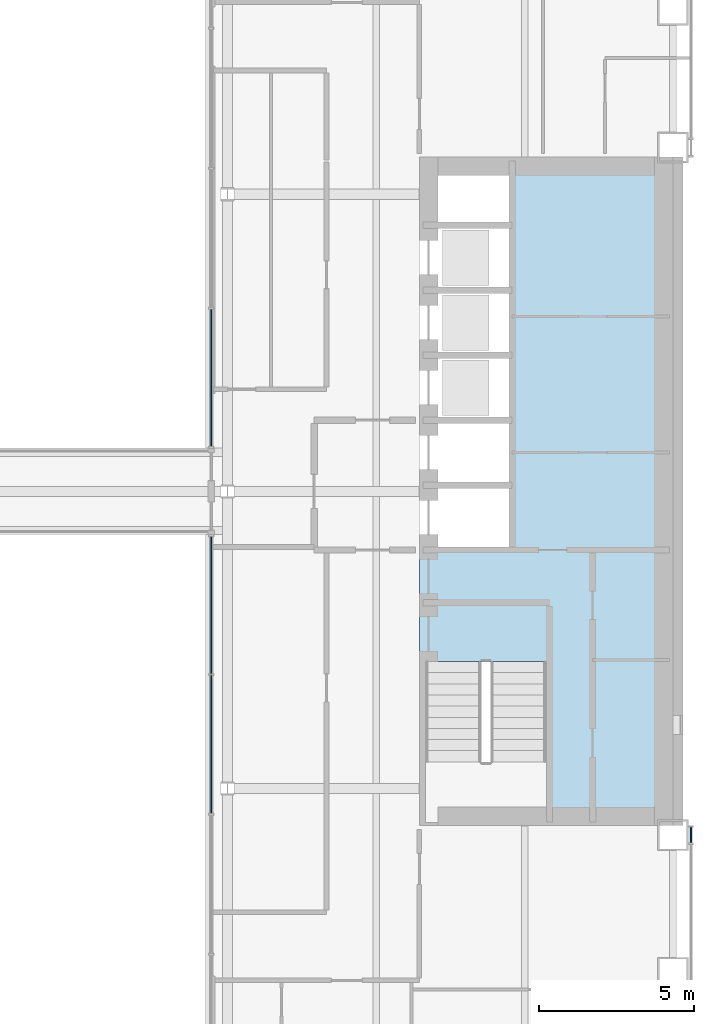
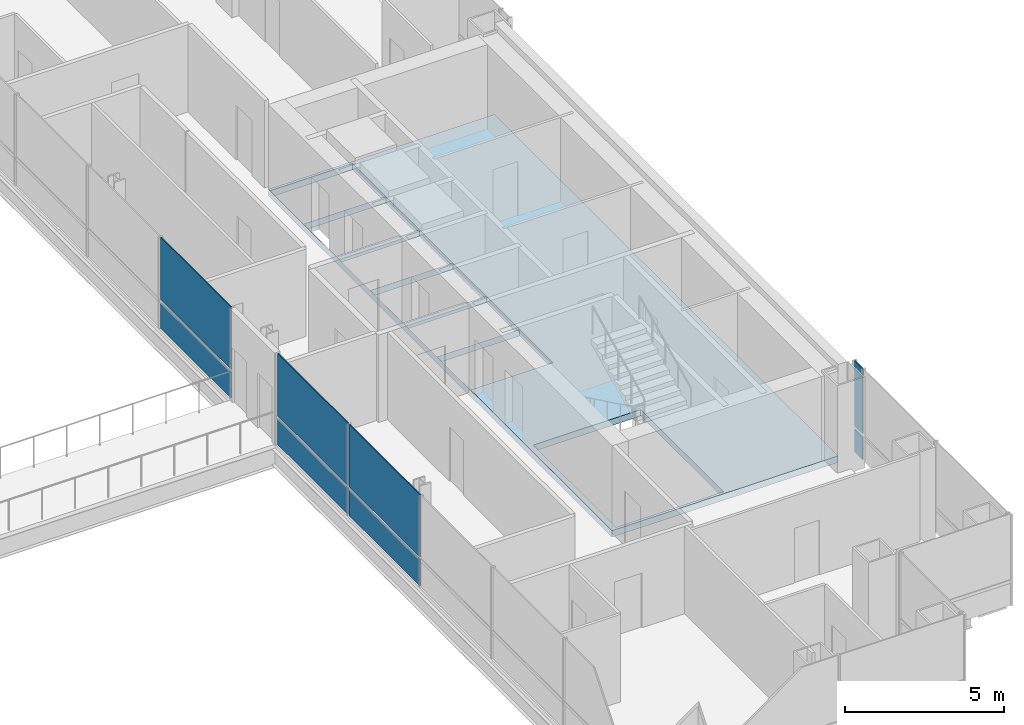
# One storey, part 11 of 19: 8 plates, 1 slab, 3 elements without a shape of their own.
"""IFC4 building model written with IfcOpenShell, lengths in metres."""

from ifc_helpers import new_model, si_unit, direction, frame, origin, origin_2d, place, context, subcontext, project, spatial, polyline, rectangle, outline, extrude, material, layer, layer_set, type_object, element, aggregate, save


model = new_model("IFC4")

# Units and contexts
model_context = context("Model", 3, precision=1e-05, world=origin(), true_north=direction((0.0, 1.0)))
body_context = subcontext(model_context, "Body", "Model", "MODEL_VIEW")
ifc_project = project(units=[si_unit("LENGTHUNIT", "METRE"), si_unit("AREAUNIT", "SQUARE_METRE"), si_unit("VOLUMEUNIT", "CUBIC_METRE"), si_unit("PLANEANGLEUNIT", "RADIAN"), si_unit("MASSUNIT", "GRAM", prefix="KILO")], contexts=[model_context])

# Site, building, storey
site_placement = place(None, origin())
site = spatial("IfcSite", under=ifc_project, at=site_placement, CompositionType="ELEMENT")
building_placement = place(site_placement, origin())
building = spatial("IfcBuilding", under=site, at=building_placement, Name="Cobrizo Arcos Hotel Tower", CompositionType="ELEMENT")
storey_placement = place(building_placement, frame((0.0, 0.0, 63.5)))
storey = spatial("IfcBuildingStorey", under=building, at=storey_placement, Name="L14", CompositionType="ELEMENT", Elevation=63.5)

# Curtain wall, plates
ifc_material_1 = material(Name="Aluminium 6063-T6 anodised bronze", Category="aluminium")
curtain_wall_type_1 = type_object("IfcCurtainWallType", Name="CW-A guest facade", PredefinedType="NOTDEFINED", material=ifc_material_1)
curtain_wall_1_placement = place(storey_placement, origin())
curtain_wall_1 = element("IfcCurtainWall", 1, at=curtain_wall_1_placement, inside=storey, type_object=curtain_wall_type_1, Name="CW-A L14 E face", PredefinedType="NOTDEFINED")
ifc_material_2 = material(Name="Glass clear laminated low-e", Category="glass")
ifc_layer_1 = layer(ifc_material_2, 0.0400390625)
ifc_layer_set_1 = layer_set([ifc_layer_1], Name="CW-A glass panel")
plate_type_1 = type_object("IfcPlateType", Name="CW-A glass panel", PredefinedType="CURTAIN_PANEL", material=ifc_layer_set_1)
plate_1_placement = place(storey_placement, frame((24.574951171875, -11.109375, 0.990234375), z_axis=(0.0, 0.0, 1.0), x_axis=(0.0, 1.0, 0.0)))
plate_1 = element("IfcPlate", 2, at=plate_1_placement, type_object=plate_type_1, Name="CW-A glass panel 631", PredefinedType="CURTAIN_PANEL", context=body_context, shape_type="SweptSolid", body=[
    extrude(rectangle(XDim=0.498779296875, YDim=0.0400390625, at=origin_2d()), origin(), (0.0, 0.0, 1.0), 2.510009765625),
])
ifc_material_3 = material(Name="Aluminium composite panel pale metal", Category="aluminium")
ifc_layer_2 = layer(ifc_material_3, 0.0400390625)
ifc_layer_set_2 = layer_set([ifc_layer_2], Name="CW-A spandrel panel")
plate_type_2 = type_object("IfcPlateType", Name="CW-A spandrel panel", PredefinedType="CURTAIN_PANEL", material=ifc_layer_set_2)
plate_2_placement = place(storey_placement, frame((24.574951171875, -11.109375, 0.0), z_axis=(0.0, 0.0, 1.0), x_axis=(0.0, 1.0, 0.0)))
plate_2 = element("IfcPlate", 3, at=plate_2_placement, type_object=plate_type_2, Name="CW-A spandrel panel 631", PredefinedType="CURTAIN_PANEL", context=body_context, shape_type="SweptSolid", body=[
    extrude(rectangle(XDim=0.498779296875, YDim=0.0400390625, at=origin_2d()), origin(), (0.0, 0.0, 1.0), 0.8701171875),
])
aggregate(curtain_wall_1, [plate_2, plate_1])

curtain_wall_type_2 = type_object("IfcCurtainWallType", Name="CW-F void screen", PredefinedType="NOTDEFINED", material=ifc_material_1)
curtain_wall_2_placement = place(storey_placement, origin())
curtain_wall_2 = element("IfcCurtainWall", 4, at=curtain_wall_2_placement, inside=storey, type_object=curtain_wall_type_2, Name="CW-F L14 void screen A", PredefinedType="NOTDEFINED")
ifc_layer_3 = layer(ifc_material_2, 0.0400390625)
ifc_layer_set_3 = layer_set([ifc_layer_3], Name="CW-F glass panel")
plate_type_3 = type_object("IfcPlateType", Name="CW-F glass panel", PredefinedType="CURTAIN_PANEL", material=ifc_layer_set_3)
plate_3_placement = place(storey_placement, frame((9.074951171875, -8.179931640625, 0.0), z_axis=(0.0, 0.0, 1.0), x_axis=(0.0, 1.0, 0.0)))
plate_3 = element("IfcPlate", 5, at=plate_3_placement, type_object=plate_type_3, Name="CW-F glass panel 2451", PredefinedType="CURTAIN_PANEL", context=body_context, shape_type="SweptSolid", body=[
    extrude(rectangle(XDim=4.4599609375, YDim=0.0400390625, at=origin_2d()), origin(), (0.0, 0.0, 1.0), 0.989990234375),
])
plate_4_placement = place(storey_placement, frame((9.074951171875, -8.179931640625, 1.10986328125), z_axis=(0.0, 0.0, 1.0), x_axis=(0.0, 1.0, 0.0)))
plate_4 = element("IfcPlate", 6, at=plate_4_placement, type_object=plate_type_3, Name="CW-F glass panel 2451", PredefinedType="CURTAIN_PANEL", context=body_context, shape_type="SweptSolid", body=[
    extrude(rectangle(XDim=4.4599609375, YDim=0.0400390625, at=origin_2d()), origin(), (0.0, 0.0, 1.0), 2.389892578125),
])
plate_5_placement = place(storey_placement, frame((9.074951171875, -3.675048828125, 0.0), z_axis=(0.0, 0.0, 1.0), x_axis=(0.0, 1.0, 0.0)))
plate_5 = element("IfcPlate", 7, at=plate_5_placement, type_object=plate_type_3, Name="CW-F glass panel 2452", PredefinedType="CURTAIN_PANEL", context=body_context, shape_type="SweptSolid", body=[
    extrude(rectangle(XDim=4.429931640625, YDim=0.0400390625, at=origin_2d()), origin(), (0.0, 0.0, 1.0), 0.989990234375),
])
plate_6_placement = place(storey_placement, frame((9.074951171875, -3.675048828125, 1.10986328125), z_axis=(0.0, 0.0, 1.0), x_axis=(0.0, 1.0, 0.0)))
plate_6 = element("IfcPlate", 8, at=plate_6_placement, type_object=plate_type_3, Name="CW-F glass panel 2452", PredefinedType="CURTAIN_PANEL", context=body_context, shape_type="SweptSolid", body=[
    extrude(rectangle(XDim=4.429931640625, YDim=0.0400390625, at=origin_2d()), origin(), (0.0, 0.0, 1.0), 2.389892578125),
])
aggregate(curtain_wall_2, [plate_3, plate_4, plate_5, plate_6])

curtain_wall_3_placement = place(storey_placement, origin())
curtain_wall_3 = element("IfcCurtainWall", 9, at=curtain_wall_3_placement, inside=storey, type_object=curtain_wall_type_2, Name="CW-F L14 void screen A", PredefinedType="NOTDEFINED")
plate_7_placement = place(storey_placement, frame((9.074951171875, 3.675048828125, 0.0), z_axis=(0.0, 0.0, 1.0), x_axis=(0.0, 1.0, 0.0)))
plate_7 = element("IfcPlate", 10, at=plate_7_placement, type_object=plate_type_3, Name="CW-F glass panel 2453", PredefinedType="CURTAIN_PANEL", context=body_context, shape_type="SweptSolid", body=[
    extrude(rectangle(XDim=4.429931640625, YDim=0.0400390625, at=origin_2d()), origin(), (0.0, 0.0, 1.0), 0.989990234375),
])
plate_8_placement = place(storey_placement, frame((9.074951171875, 3.675048828125, 1.10986328125), z_axis=(0.0, 0.0, 1.0), x_axis=(0.0, 1.0, 0.0)))
plate_8 = element("IfcPlate", 11, at=plate_8_placement, type_object=plate_type_3, Name="CW-F glass panel 2453", PredefinedType="CURTAIN_PANEL", context=body_context, shape_type="SweptSolid", body=[
    extrude(rectangle(XDim=4.429931640625, YDim=0.0400390625, at=origin_2d()), origin(), (0.0, 0.0, 1.0), 2.389892578125),
])
aggregate(curtain_wall_3, [plate_7, plate_8])

# Slab
ifc_material_4 = material(Name="Concrete f'c 60 MPa", Category="concrete")
ifc_layer_4 = layer(ifc_material_4, 0.25)
ifc_layer_set_4 = layer_set([ifc_layer_4], Name="RC core floor slab 250 f'c 60")
slab_type = type_object("IfcSlabType", Name="RC core floor slab 250 f'c 60", PredefinedType="FLOOR", material=ifc_layer_set_4)
slab_placement = place(storey_placement, frame((0.0, 0.0, -0.25)))
element("IfcSlab", 12, at=slab_placement, inside=storey, type_object=slab_type, Name="Core floor slab CS3, east core, L14", PredefinedType="FLOOR", context=body_context, shape_type="SweptSolid", body=[
    extrude(outline(polyline([(15.800048828125, 10.800048828125), (24.0, 10.800048828125), (24.0, -10.800048828125), (15.800048828125, -10.800048828125), (15.800048828125, 10.800048828125)]), holes=[polyline([(19.89794921875, -10.697998046875), (19.89794921875, -5.501953125), (16.001953125, -5.501953125), (16.001953125, -10.697998046875), (19.89794921875, -10.697998046875)]), polyline([(15.802001953125, 0.197998046875), (15.802001953125, -1.89794921875), (18.798095703125, -1.89794921875), (18.798095703125, 0.197998046875), (15.802001953125, 0.197998046875)]), polyline([(18.798095703125, 2.298095703125), (15.802001953125, 2.298095703125), (15.802001953125, 0.201904296875), (18.798095703125, 0.201904296875), (18.798095703125, 2.298095703125)]), polyline([(18.798095703125, 4.39794921875), (15.802001953125, 4.39794921875), (15.802001953125, 2.302001953125), (18.798095703125, 2.302001953125), (18.798095703125, 4.39794921875)]), polyline([(15.802001953125, 6.498046875), (15.802001953125, 4.402099609375), (18.798095703125, 4.402099609375), (18.798095703125, 6.498046875), (15.802001953125, 6.498046875)]), polyline([(18.798095703125, 8.597900390625), (15.802001953125, 8.597900390625), (15.802001953125, 6.501953125), (18.798095703125, 6.501953125), (18.798095703125, 8.597900390625)]), polyline([(18.798095703125, 10.697998046875), (15.802001953125, 10.697998046875), (15.802001953125, 8.60205078125), (18.798095703125, 8.60205078125), (18.798095703125, 10.697998046875)])]), origin(), (0.0, 0.0, 1.0), 0.25),
])

save(model, "model.ifc")
